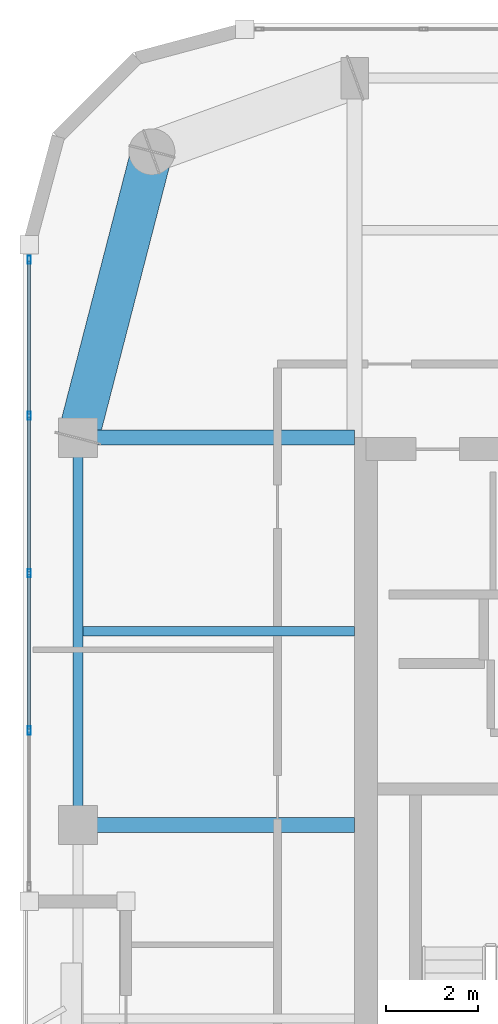
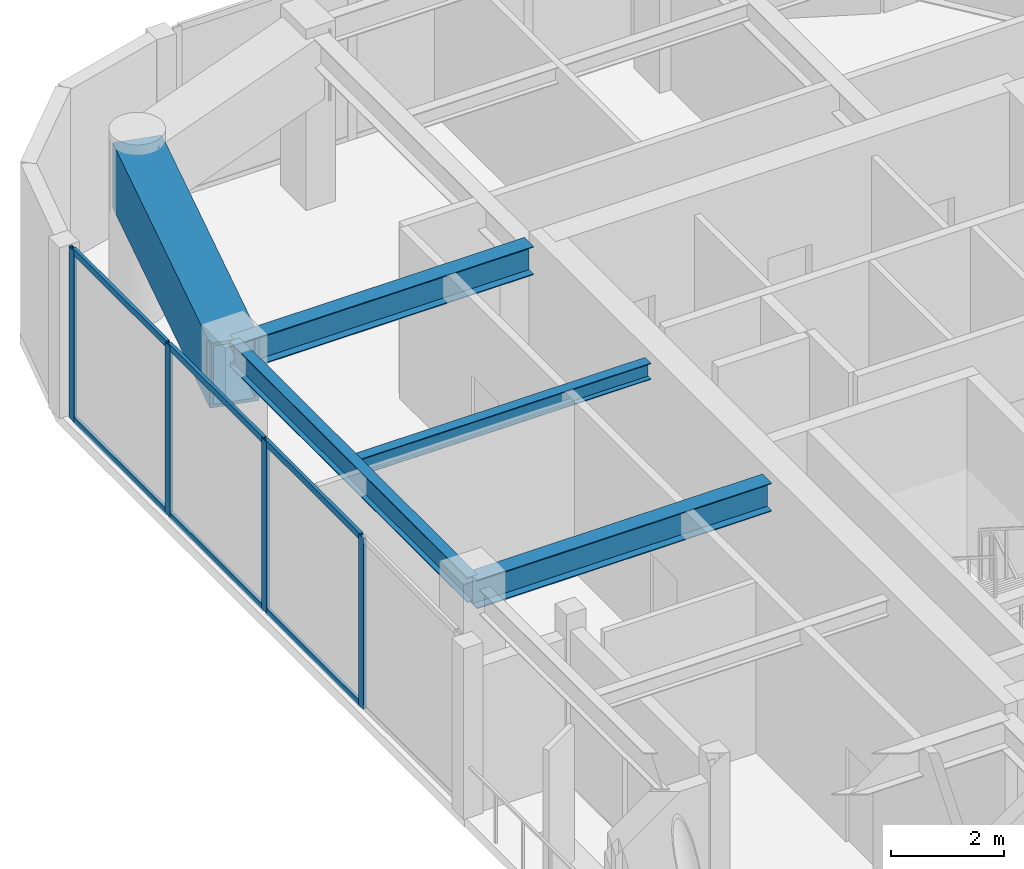
# One storey, part 4 of 16: 10 members, 5 beams, 1 element without a shape of its own.
"""IFC4 building model written with IfcOpenShell, lengths in metres."""

import ifcopenshell
import ifcopenshell.guid

model = None  # the IFC model being written
_history = None  # IfcOwnerHistory: only IFC2X3 demands one
_inside = {}  # id of a spatial element -> (the spatial element, [elements in it])
_under = {}  # id of a project, library or spatial element -> (it, [spatial elements below it])
_declared = {}  # id of a project -> (the project, [libraries it declares])
_typed = {}  # id of a type object -> (the type object, [elements of that type])
_made_of = {}  # id of a material, layer set ... -> (it, [elements and type objects made of it])


def new_model(schema):
    """Start an empty IFC model of exactly this schema.

    Asked for "IFC4X3", IfcOpenShell would pick the latest addendum, in which some entities
    have other attributes; the version numbers below select the first issue.
    IFC2X3 requires an IfcOwnerHistory on every rooted entity: one is made here for all.
    """
    global model, _history
    if schema == "IFC4X3":
        model = ifcopenshell.file(schema_version=(4, 3, 0, 0))
    else:
        model = ifcopenshell.file(schema=schema)
    _inside.clear()
    _under.clear()
    _declared.clear()
    _typed.clear()
    _made_of.clear()
    _history = None
    if model.schema == "IFC2X3":
        org = make("IfcOrganization", Name="unknown")
        user = make(
            "IfcPersonAndOrganization",
            ThePerson=make("IfcPerson", FamilyName="unknown"),
            TheOrganization=org,
        )
        app = make(
            "IfcApplication",
            ApplicationDeveloper=org,
            Version="unknown",
            ApplicationFullName="unknown",
            ApplicationIdentifier="unknown",
        )
        _history = make(
            "IfcOwnerHistory",
            OwningUser=user,
            OwningApplication=app,
            ChangeAction="ADDED",
            CreationDate=0,
        )
    return model


def make(cls, **values):
    """One entity of the class cls with the attributes given. An attribute that is None is left unset."""
    return model.create_entity(
        cls, **{name: value for name, value in values.items() if value is not None}
    )


def rooted(cls, **values):
    """An entity with a GlobalId (a new one), such as an element, a storey or a relation."""
    return make(cls, GlobalId=ifcopenshell.guid.new(), OwnerHistory=_history, **values)


def si_unit(unit_type, name, prefix=None):
    """IfcSIUnit, for example si_unit("LENGTHUNIT", "METRE", prefix="MILLI")."""
    return make("IfcSIUnit", UnitType=unit_type, Prefix=prefix, Name=name)


def assignment(units):
    """IfcUnitAssignment: the units of a project."""
    return None if units is None else make("IfcUnitAssignment", Units=units)


def point(xyz):
    """IfcCartesianPoint."""
    return None if xyz is None else make("IfcCartesianPoint", Coordinates=xyz)


def direction(xyz):
    """IfcDirection."""
    return None if xyz is None else make("IfcDirection", DirectionRatios=xyz)


def frame(location, z_axis=None, x_axis=None):
    """IfcAxis2Placement3D, a coordinate frame: its origin and axes. An axis left out is left unset."""
    return make(
        "IfcAxis2Placement3D",
        Location=point(location),
        Axis=direction(z_axis),
        RefDirection=direction(x_axis),
    )


def frame_2d(location, x_axis=None):
    """IfcAxis2Placement2D, a coordinate frame in the plane: its origin and x axis."""
    return make(
        "IfcAxis2Placement2D", Location=point(location), RefDirection=direction(x_axis)
    )


def origin():
    """The frame at (0, 0, 0) with its axes left unset."""
    return frame((0.0, 0.0, 0.0))


def origin_2d():
    """The frame at (0, 0) in the plane with its x axis left unset."""
    return frame_2d((0.0, 0.0))


def place(relative_to, where):
    """IfcLocalPlacement: puts the frame where relative to a parent placement (None: the world)."""
    return make(
        "IfcLocalPlacement", PlacementRelTo=relative_to, RelativePlacement=where
    )


def context(
    kind, dimensions, precision=None, world=None, true_north=None, identifier=None
):
    """IfcGeometricRepresentationContext, for example the 3D "Model" context."""
    return make(
        "IfcGeometricRepresentationContext",
        ContextIdentifier=identifier,
        ContextType=kind,
        CoordinateSpaceDimension=dimensions,
        Precision=precision,
        WorldCoordinateSystem=world,
        TrueNorth=true_north,
    )


def subcontext(parent, identifier, kind, view, scale=None):
    """IfcGeometricRepresentationSubContext, for example "Body" below "Model"."""
    return make(
        "IfcGeometricRepresentationSubContext",
        ContextIdentifier=identifier,
        ContextType=kind,
        ParentContext=parent,
        TargetScale=scale,
        TargetView=view,
    )


def project(units=None, contexts=None):
    """IfcProject with its units and contexts."""
    return rooted(
        "IfcProject",
        Name="project",
        RepresentationContexts=contexts,
        UnitsInContext=assignment(units),
    )


def spatial(cls, under=None, at=None, **own):
    """A site, building, storey or space (cls), placed at a placement, below another one or the project."""
    s = rooted(cls, ObjectPlacement=at, **own)
    if under is not None:
        _under.setdefault(under.id(), (under, []))[1].append(s)
    return s


def profile(cls, at=None, kind="AREA", **sizes):
    """A parametric profile (cls). Its sizes go by their IFC names, for example OverallWidth=200.0."""
    return make(cls, ProfileType=kind, Position=at, **sizes)


def hollow_rectangle(**sizes):
    """IfcRectangleHollowProfileDef."""
    return profile("IfcRectangleHollowProfileDef", **sizes)


def i_section(**sizes):
    """IfcIShapeProfileDef."""
    return profile("IfcIShapeProfileDef", **sizes)


def extrude(swept, where, along, depth):
    """IfcExtrudedAreaSolid: the profile swept, set in the frame where, extruded along a direction by depth."""
    return make(
        "IfcExtrudedAreaSolid",
        SweptArea=swept,
        Position=where,
        ExtrudedDirection=direction(along),
        Depth=depth,
    )


def shape(context_of_items, identifier, shape_type, items):
    """IfcShapeRepresentation: the items that make up one representation, for example the "Body"."""
    return make(
        "IfcShapeRepresentation",
        ContextOfItems=context_of_items,
        RepresentationIdentifier=identifier,
        RepresentationType=shape_type,
        Items=items,
    )


def material(Name=None, Category=None):
    """IfcMaterial."""
    return make("IfcMaterial", Name=Name, Category=Category)


def layer(
    of_material, thickness, ventilated=None, Name=None, Category=None, Priority=None
):
    """IfcMaterialLayer: one layer of a wall or slab, of a material (None: an air gap)."""
    return make(
        "IfcMaterialLayer",
        Material=of_material,
        LayerThickness=thickness,
        IsVentilated=ventilated,
        Name=Name,
        Category=Category,
        Priority=Priority,
    )


def layer_set(layers, Name=None):
    """IfcMaterialLayerSet."""
    return make("IfcMaterialLayerSet", MaterialLayers=layers, LayerSetName=Name)


def material_profile(
    of_material, cross_section, Name=None, Category=None, Priority=None
):
    """IfcMaterialProfile: a cross section and its material."""
    return make(
        "IfcMaterialProfile",
        Name=Name,
        Material=of_material,
        Profile=cross_section,
        Priority=Priority,
        Category=Category,
    )


def profile_set(profiles, Name=None, composite=None):
    """IfcMaterialProfileSet."""
    return make(
        "IfcMaterialProfileSet",
        Name=Name,
        MaterialProfiles=profiles,
        CompositeProfile=composite,
    )


def made_of(thing, what):
    """Note that an element or type object is made of a material, layer set ...; save() writes the relation."""
    if what is not None:
        _made_of.setdefault(what.id(), (what, []))[1].append(thing)
    return thing


def type_object(cls, material=None, **own):
    """A type object (cls), such as IfcWallType, which elements share."""
    return made_of(rooted(cls, **own), material)


def element(
    cls,
    number,
    at=None,
    inside=None,
    cuts=None,
    type_object=None,
    material=None,
    context=None,
    identifier="Body",
    shape_type=None,
    held_by="IfcProductDefinitionShape",
    body=None,
    shapes=None,
    **own,
):
    """One element of the class cls, such as IfcWall. Its Tag is "e" and its number.

    at: its placement. inside: the storey or other place that contains it. cuts: it is an
    opening in that element (IfcRelVoidsElement). A single representation is given by context,
    identifier, shape_type and body (its items); several are given by shapes. held_by: the class
    of the entity that holds the representations. save() writes the other relations.
    """
    e = rooted(cls, Tag="e%d" % number, ObjectPlacement=at, **own)
    if body is not None:
        shapes = [shape(context, identifier, shape_type, body)]
    if shapes is not None:
        e.Representation = make(held_by, Representations=shapes)
    if inside is not None:
        _inside.setdefault(inside.id(), (inside, []))[1].append(e)
    if cuts is not None:
        rooted(
            "IfcRelVoidsElement", RelatingBuildingElement=cuts, RelatedOpeningElement=e
        )
    if type_object is not None:
        _typed.setdefault(type_object.id(), (type_object, []))[1].append(e)
    return made_of(e, material)


def aggregate(whole, parts):
    """IfcRelAggregates: a whole, such as a stair, and the parts it consists of."""
    return rooted("IfcRelAggregates", RelatingObject=whole, RelatedObjects=parts)


def save(model, path):
    """Write the relations noted so far, then the file.

    IfcRelAggregates (storeys below a building ...), IfcRelContainedInSpatialStructure (elements
    in a storey), IfcRelDefinesByType, IfcRelAssociatesMaterial and IfcRelDeclares: one each for
    every whole, place, type object, material and project.
    """
    for whole, parts in _under.values():
        aggregate(whole, parts)
    for where, things in _inside.values():
        rooted(
            "IfcRelContainedInSpatialStructure",
            RelatedElements=things,
            RelatingStructure=where,
        )
    for kind, things in _typed.values():
        rooted("IfcRelDefinesByType", RelatedObjects=things, RelatingType=kind)
    for what, things in _made_of.values():
        rooted("IfcRelAssociatesMaterial", RelatedObjects=things, RelatingMaterial=what)
    for by, libraries in _declared.values():
        rooted("IfcRelDeclares", RelatingContext=by, RelatedDefinitions=libraries)
    model.write(path)


model = new_model("IFC4")

# Units and contexts
model_context = context("Model", 3, precision=1e-05, world=origin(), true_north=direction((0.0, 1.0)))
body_context = subcontext(model_context, "Body", "Model", "MODEL_VIEW")
ifc_project = project(units=[si_unit("LENGTHUNIT", "METRE"), si_unit("AREAUNIT", "SQUARE_METRE"), si_unit("VOLUMEUNIT", "CUBIC_METRE"), si_unit("PLANEANGLEUNIT", "RADIAN"), si_unit("MASSUNIT", "GRAM", prefix="KILO")], contexts=[model_context])

# Site, building, storey
site_placement = place(None, origin())
site = spatial("IfcSite", under=ifc_project, at=site_placement, CompositionType="ELEMENT")
building_placement = place(site_placement, origin())
building = spatial("IfcBuilding", under=site, at=building_placement, Name="Kiyonajd Concourse Tower", CompositionType="ELEMENT")
storey_placement = place(building_placement, frame((0.0, 0.0, 310.199951171875)))
storey = spatial("IfcBuildingStorey", under=building, at=storey_placement, Name="L78", CompositionType="ELEMENT", Elevation=310.199951171875)

# Beams
ifc_material_1 = material(Name="Steel ASTM A992 Grade 50", Category="steel")
ifc_material_profile_1 = material_profile(ifc_material_1, i_section(OverallWidth=0.205078125, OverallDepth=0.35400390625, WebThickness=0.009521484375, FlangeThickness=0.016845703125, at=origin_2d()), Name="W360X79")
ifc_profile_set_1 = profile_set([ifc_material_profile_1], Name="Steel ASTM A992 Grade 50")
beam_type_1 = type_object("IfcBeamType", Name="BM-JST-360", PredefinedType="JOIST", material=ifc_profile_set_1)
beam_1_placement = place(storey_placement, frame((26.505615234375, 40.199951171875, 3.5029296875), z_axis=(1.0, 0.0, 0.0), x_axis=(0.0, 1.0, 0.0)))
element("IfcBeam", 1, at=beam_1_placement, inside=storey, type_object=beam_type_1, Name="L78 West Secondary Floor Joist", PredefinedType="JOIST", context=body_context, shape_type="SweptSolid", body=[
    extrude(i_section(OverallWidth=0.205078125, OverallDepth=0.35400390625, WebThickness=0.009521484375, FlangeThickness=0.016845703125, at=origin_2d()), origin(), (0.0, 0.0, 1.0), 5.894287109375),
])
ifc_material_profile_2 = material_profile(ifc_material_1, i_section(OverallWidth=0.2109375, OverallDepth=0.5390625, WebThickness=0.01171875, FlangeThickness=0.018798828125, at=origin_2d()), Name="W530X109")
ifc_profile_set_2 = profile_set([ifc_material_profile_2], Name="Steel ASTM A992 Grade 50")
beam_type_2 = type_object("IfcBeamType", Name="BM-SPAN-530B", PredefinedType="SPANDREL", material=ifc_profile_set_2)
beam_2_placement = place(storey_placement, frame((26.39990234375, 44.39990234375, 3.41064453125), z_axis=(0.0, -1.0, 0.0), x_axis=(1.0, 0.0, 0.0)))
element("IfcBeam", 2, at=beam_2_placement, inside=storey, type_object=beam_type_2, Name="L78 Perimeter Bundled Tube Spandrel", PredefinedType="SPANDREL", context=body_context, shape_type="SweptSolid", body=[
    extrude(i_section(OverallWidth=0.2109375, OverallDepth=0.5390625, WebThickness=0.01171875, FlangeThickness=0.018798828125, at=origin_2d()), origin(), (0.0, 0.0, 1.0), 8.39990234375),
])
ifc_material_profile_3 = material_profile(ifc_material_1, i_section(OverallWidth=0.323974609375, OverallDepth=0.611083984375, WebThickness=0.0126953125, FlangeThickness=0.01904296875, at=origin_2d()), Name="W610X155")
ifc_profile_set_3 = profile_set([ifc_material_profile_3], Name="Steel ASTM A992 Grade 50")
beam_type_3 = type_object("IfcBeamType", Name="BM-TWR-610B", PredefinedType="BEAM", material=ifc_profile_set_3)
for number, where, z_axis, x_axis, name in (
    (3, (26.39990234375, 36.0, 3.37451171875), (1.0, 0.0, 0.0), (0.0, 1.0, 0.0), "L78 West Lease Girder"),
    (4, (26.39990234375, 44.39990234375, 3.37451171875), (1.0, 0.0, 0.0), (0.0, 1.0, 0.0), "L78 West Lease Girder"),
):
    element("IfcBeam", number, at=place(storey_placement, frame(where, z_axis=z_axis, x_axis=x_axis)), inside=storey, type_object=beam_type_3, Name=name, PredefinedType="BEAM", context=body_context, shape_type="SweptSolid", body=[
        extrude(i_section(OverallWidth=0.323974609375, OverallDepth=0.611083984375, WebThickness=0.0126953125, FlangeThickness=0.01904296875, at=origin_2d()), origin(), (0.0, 0.0, 1.0), 6.0),
    ])
ifc_material_2 = material(Name="Steel ASTM A572 Grade 50", Category="steel")
ifc_material_profile_4 = material_profile(ifc_material_2, hollow_rectangle(XDim=0.89990234375, YDim=1.39990234375, WallThickness=0.070068359375, at=origin_2d()), Name="BOX-1400x900x70")
ifc_profile_set_4 = profile_set([ifc_material_profile_4], Name="Steel ASTM A572 Grade 50")
beam_type_4 = type_object("IfcBeamType", Name="BM-XFER-1400", PredefinedType="BEAM", material=ifc_profile_set_4)
beam_3_placement = place(storey_placement, frame((28.0, 50.60009765625, 2.97998046875), z_axis=(-0.249884937687, -0.968275538221, 0.0), x_axis=(0.968275538221, -0.249884937687, 0.0)))
element("IfcBeam", 5, at=beam_3_placement, inside=storey, type_object=beam_type_4, Name="L78 Perimeter Bundled Tube Spandrel", PredefinedType="BEAM", context=body_context, shape_type="SweptSolid", body=[
    extrude(hollow_rectangle(XDim=0.89990234375, YDim=1.39990234375, WallThickness=0.070068359375, at=origin_2d()), origin(), (0.0, 0.0, 1.0), 6.4033203125),
])

# Curtain wall, members
ifc_material_3 = material(Name="Thermally Broken Anodised Aluminium", Category="aluminium")
ifc_layer = layer(ifc_material_3, 0.179931640625)
ifc_layer_set = layer_set([ifc_layer], Name="Thermally Broken Anodised Aluminium")
curtain_wall_type = type_object("IfcCurtainWallType", Name="CW-SYS-04", PredefinedType="NOTDEFINED", material=ifc_layer_set)
curtain_wall_placement = place(storey_placement, origin())
curtain_wall = element("IfcCurtainWall", 6, at=curtain_wall_placement, inside=storey, type_object=curtain_wall_type, Name="L78 Unitised Curtain Wall CW4", PredefinedType="NOTDEFINED")
ifc_material_profile_5 = material_profile(ifc_material_3, hollow_rectangle(XDim=0.06494140625, YDim=0.179931640625, WallThickness=0.00390625, at=origin_2d()), Name="MULL-65x180")
ifc_profile_set_5 = profile_set([ifc_material_profile_5], Name="Thermally Broken Anodised Aluminium")
member_type_1 = type_object("IfcMemberType", Name="MB-CW-MULL1", PredefinedType="MULLION", material=ifc_profile_set_5)
member_1_placement = place(storey_placement, frame((25.340087890625, 38.04541015625, 0.0), z_axis=(0.0, 0.0, 1.0), x_axis=(-1.0, 0.0, 0.0)))
member_1 = element("IfcMember", 7, at=member_1_placement, type_object=member_type_1, Name="CW4 mullion 2", PredefinedType="MULLION", context=body_context, shape_type="SweptSolid", body=[
    extrude(hollow_rectangle(XDim=0.06494140625, YDim=0.179931640625, WallThickness=0.00390625, at=origin_2d()), origin(), (0.0, 0.0, 1.0), 3.679931640625),
])
member_2_placement = place(storey_placement, frame((25.340087890625, 41.460693359375, 0.0), z_axis=(0.0, 0.0, 1.0), x_axis=(-1.0, 0.0, 0.0)))
member_2 = element("IfcMember", 8, at=member_2_placement, type_object=member_type_1, Name="CW4 mullion 3", PredefinedType="MULLION", context=body_context, shape_type="SweptSolid", body=[
    extrude(hollow_rectangle(XDim=0.06494140625, YDim=0.179931640625, WallThickness=0.00390625, at=origin_2d()), origin(), (0.0, 0.0, 1.0), 3.679931640625),
])
member_3_placement = place(storey_placement, frame((25.340087890625, 44.876220703125, 0.0), z_axis=(0.0, 0.0, 1.0), x_axis=(-1.0, 0.0, 0.0)))
member_3 = element("IfcMember", 9, at=member_3_placement, type_object=member_type_1, Name="CW4 mullion 4", PredefinedType="MULLION", context=body_context, shape_type="SweptSolid", body=[
    extrude(hollow_rectangle(XDim=0.06494140625, YDim=0.179931640625, WallThickness=0.00390625, at=origin_2d()), origin(), (0.0, 0.0, 1.0), 3.679931640625),
])
member_4_placement = place(storey_placement, frame((25.340087890625, 48.259033203125, 0.0), z_axis=(0.0, 0.0, 1.0), x_axis=(-1.0, 0.0, 0.0)))
member_4 = element("IfcMember", 10, at=member_4_placement, type_object=member_type_1, Name="CW4 mullion 5", PredefinedType="MULLION", context=body_context, shape_type="SweptSolid", body=[
    extrude(hollow_rectangle(XDim=0.06494140625, YDim=0.179931640625, WallThickness=0.00390625, at=origin_2d()), origin(), (0.0, 0.0, 1.0), 3.679931640625),
])
ifc_material_profile_6 = material_profile(ifc_material_3, hollow_rectangle(XDim=0.06494140625, YDim=0.139892578125, WallThickness=0.00390625, at=origin_2d()), Name="TRAN-65x140")
ifc_profile_set_6 = profile_set([ifc_material_profile_6], Name="Thermally Broken Anodised Aluminium")
member_type_2 = type_object("IfcMemberType", Name="MB-CW-TRAN1", PredefinedType="USERDEFINED", material=ifc_profile_set_6)
member_5_placement = place(storey_placement, frame((25.340087890625, 38.077880859375, 0.032470703125), z_axis=(0.0, 1.0, 0.0), x_axis=(-1.0, 0.0, 0.0)))
member_5 = element("IfcMember", 11, at=member_5_placement, type_object=member_type_2, Name="CW4 transom 2.1", ObjectType="TRANSOM", PredefinedType="USERDEFINED", context=body_context, shape_type="SweptSolid", body=[
    extrude(hollow_rectangle(XDim=0.06494140625, YDim=0.139892578125, WallThickness=0.00390625, at=origin_2d()), origin(), (0.0, 0.0, 1.0), 3.350341796875),
])
member_6_placement = place(storey_placement, frame((25.340087890625, 38.077880859375, 3.6474609375), z_axis=(0.0, 1.0, 0.0), x_axis=(-1.0, 0.0, 0.0)))
member_6 = element("IfcMember", 12, at=member_6_placement, type_object=member_type_2, Name="CW4 transom 2.2", ObjectType="TRANSOM", PredefinedType="USERDEFINED", context=body_context, shape_type="SweptSolid", body=[
    extrude(hollow_rectangle(XDim=0.06494140625, YDim=0.139892578125, WallThickness=0.00390625, at=origin_2d()), origin(), (0.0, 0.0, 1.0), 3.350341796875),
])
member_7_placement = place(storey_placement, frame((25.340087890625, 41.493408203125, 0.032470703125), z_axis=(0.0, 1.0, 0.0), x_axis=(-1.0, 0.0, 0.0)))
member_7 = element("IfcMember", 13, at=member_7_placement, type_object=member_type_2, Name="CW4 transom 3.1", ObjectType="TRANSOM", PredefinedType="USERDEFINED", context=body_context, shape_type="SweptSolid", body=[
    extrude(hollow_rectangle(XDim=0.06494140625, YDim=0.139892578125, WallThickness=0.00390625, at=origin_2d()), origin(), (0.0, 0.0, 1.0), 3.350341796875),
])
member_8_placement = place(storey_placement, frame((25.340087890625, 41.493408203125, 3.6474609375), z_axis=(0.0, 1.0, 0.0), x_axis=(-1.0, 0.0, 0.0)))
member_8 = element("IfcMember", 14, at=member_8_placement, type_object=member_type_2, Name="CW4 transom 3.2", ObjectType="TRANSOM", PredefinedType="USERDEFINED", context=body_context, shape_type="SweptSolid", body=[
    extrude(hollow_rectangle(XDim=0.06494140625, YDim=0.139892578125, WallThickness=0.00390625, at=origin_2d()), origin(), (0.0, 0.0, 1.0), 3.350341796875),
])
member_9_placement = place(storey_placement, frame((25.340087890625, 44.90869140625, 0.032470703125), z_axis=(0.0, 1.0, 0.0), x_axis=(-1.0, 0.0, 0.0)))
member_9 = element("IfcMember", 15, at=member_9_placement, type_object=member_type_2, Name="CW4 transom 4.1", ObjectType="TRANSOM", PredefinedType="USERDEFINED", context=body_context, shape_type="SweptSolid", body=[
    extrude(hollow_rectangle(XDim=0.06494140625, YDim=0.139892578125, WallThickness=0.00390625, at=origin_2d()), origin(), (0.0, 0.0, 1.0), 3.31787109375),
])
member_10_placement = place(storey_placement, frame((25.340087890625, 44.90869140625, 3.6474609375), z_axis=(0.0, 1.0, 0.0), x_axis=(-1.0, 0.0, 0.0)))
member_10 = element("IfcMember", 16, at=member_10_placement, type_object=member_type_2, Name="CW4 transom 4.2", ObjectType="TRANSOM", PredefinedType="USERDEFINED", context=body_context, shape_type="SweptSolid", body=[
    extrude(hollow_rectangle(XDim=0.06494140625, YDim=0.139892578125, WallThickness=0.00390625, at=origin_2d()), origin(), (0.0, 0.0, 1.0), 3.31787109375),
])
aggregate(curtain_wall, [member_1, member_2, member_3, member_4, member_5, member_6, member_7, member_8, member_9, member_10])

save(model, "model.ifc")
